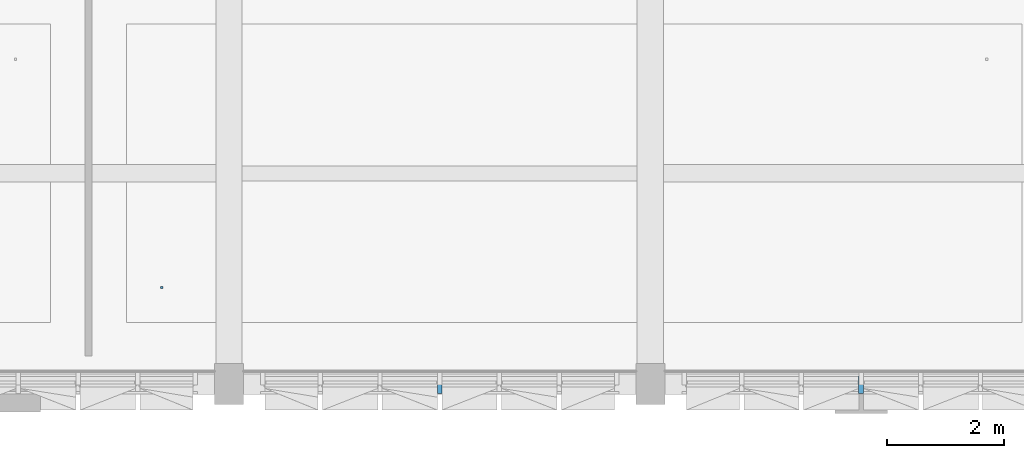
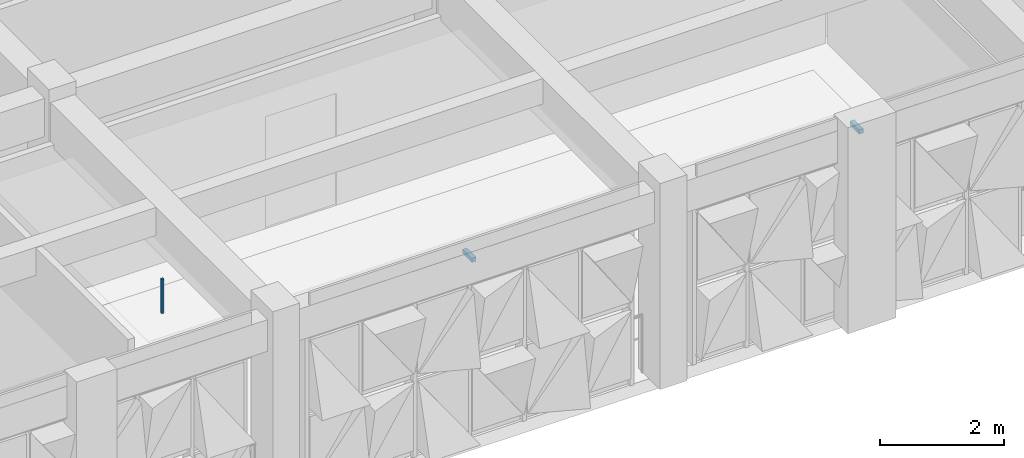
# One storey, part 61 of 88: 3 discrete accessories.
"""IFC4 building model written with IfcOpenShell, lengths in metres."""

from ifc_helpers import new_model, si_unit, direction, frame, origin, origin_2d, place, context, subcontext, project, spatial, rectangle, extrude, material, type_object, element, save


model = new_model("IFC4")

# Units and contexts
model_context = context("Model", 3, precision=1e-05, world=origin(), true_north=direction((0.0, 1.0)))
body_context = subcontext(model_context, "Body", "Model", "MODEL_VIEW")
ifc_project = project(units=[si_unit("LENGTHUNIT", "METRE"), si_unit("AREAUNIT", "SQUARE_METRE"), si_unit("VOLUMEUNIT", "CUBIC_METRE"), si_unit("PLANEANGLEUNIT", "RADIAN"), si_unit("MASSUNIT", "GRAM", prefix="KILO")], contexts=[model_context])

# Site, building, storey
site_placement = place(None, origin())
site = spatial("IfcSite", under=ifc_project, at=site_placement, CompositionType="ELEMENT")
building_placement = place(site_placement, origin())
building = spatial("IfcBuilding", under=site, at=building_placement, Name="Alvorim Cloister Faculty of Sciences", CompositionType="ELEMENT")
storey_placement = place(building_placement, frame((0.0, 0.0, 4.5)))
storey = spatial("IfcBuildingStorey", under=building, at=storey_placement, Name="L01", CompositionType="ELEMENT", Elevation=4.5)

# Discrete accessories
ifc_material_1 = material(Name="Galvanised Painted Steel", Category="steel")
discrete_accessory_type_1 = type_object("IfcDiscreteAccessoryType", Name="ACC-CEIL-ROD", PredefinedType="BRACKET", material=ifc_material_1)
discrete_accessory_placement = place(storey_placement, frame((49.25, 1.64990234375, 3.1298828125), z_axis=(0.0, 0.0, 1.0), x_axis=(1.0, 0.0, 0.0)))
element("IfcDiscreteAccessory", 1, at=discrete_accessory_placement, inside=storey, type_object=discrete_accessory_type_1, Name="Ceiling Suspension Bracket ACC-ROD-009", PredefinedType="BRACKET", context=body_context, shape_type="SweptSolid", body=[
    extrude(rectangle(XDim=0.0400390625, YDim=0.0400390625, at=origin_2d()), origin(), (0.0, 0.0, 1.0), 0.68017578125),
])
ifc_material_2 = material(Name="Aluminium Alloy 6063-T6", Category="aluminium")
discrete_accessory_type_2 = type_object("IfcDiscreteAccessoryType", Name="ACC-DIAG-BAR", PredefinedType="BRACKET", material=ifc_material_2)
for number, where, z_axis, x_axis, name in (
    (2, (61.199951171875, 0.139892578125, 3.610107421875), (0.0, -1.0, 0.0), (1.0, 0.0, 0.0), "Slab-Edge Fascia Tie Bracket ACC-00356"),
    (3, (54.0, 0.139892578125, 3.610107421875), (0.0, -1.0, 0.0), (1.0, 0.0, 0.0), "Slab-Edge Fascia Tie Bracket ACC-00369"),
):
    element("IfcDiscreteAccessory", number, at=place(storey_placement, frame(where, z_axis=z_axis, x_axis=x_axis)), inside=storey, type_object=discrete_accessory_type_2, Name=name, PredefinedType="BRACKET", context=body_context, shape_type="SweptSolid", body=[
        extrude(rectangle(XDim=0.080078125, YDim=0.080078125, at=origin_2d()), origin(), (0.0, 0.0, 1.0), 0.2998046875),
    ])

save(model, "model.ifc")
